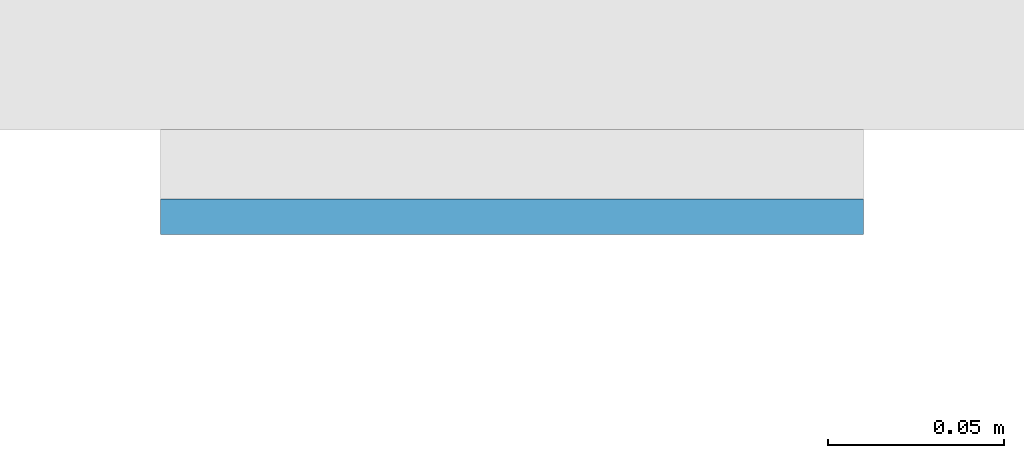
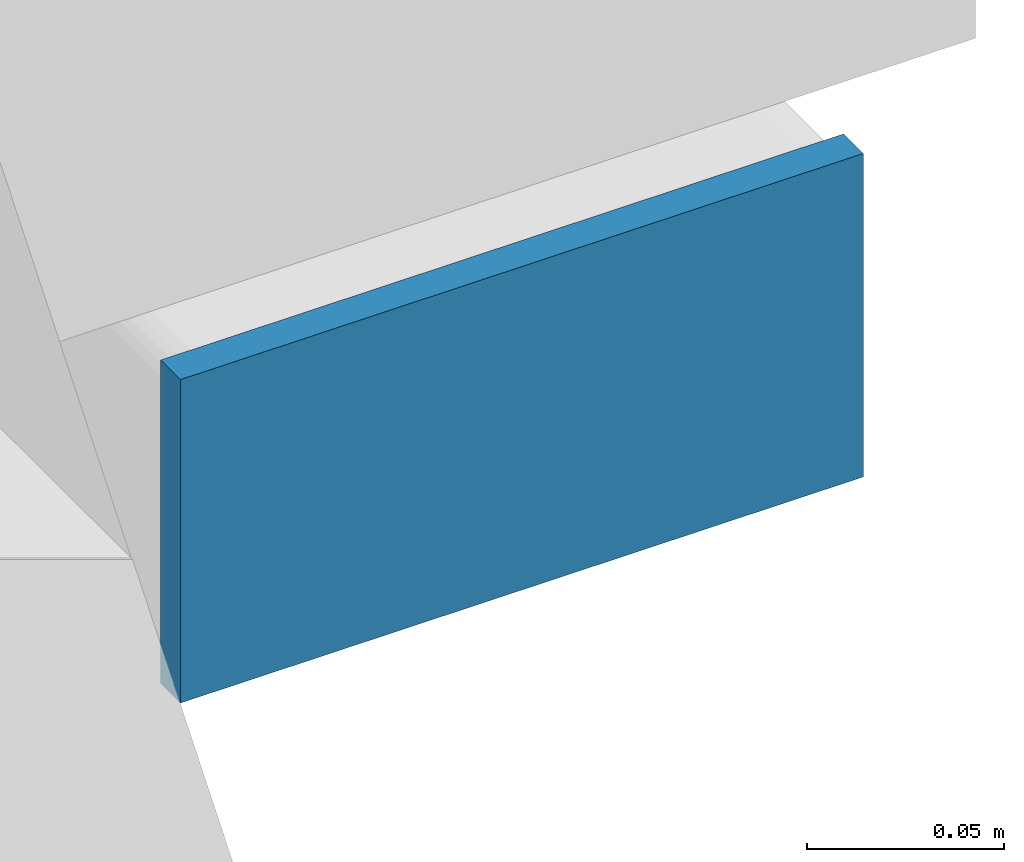
# One storey, part 10 of 20: 1 plate.
"""IFC4 building model written with IfcOpenShell, lengths in metres."""

from ifc_helpers import new_model, si_unit, direction, frame, origin, origin_2d, place, context, subcontext, project, spatial, rectangle, extrude, material, layer, layer_set, type_object, element, save


model = new_model("IFC4")

# Units and contexts
model_context = context("Model", 3, precision=1e-05, world=origin(), true_north=direction((0.0, 1.0)))
body_context = subcontext(model_context, "Body", "Model", "MODEL_VIEW")
ifc_project = project(units=[si_unit("LENGTHUNIT", "METRE"), si_unit("AREAUNIT", "SQUARE_METRE"), si_unit("VOLUMEUNIT", "CUBIC_METRE"), si_unit("PLANEANGLEUNIT", "RADIAN"), si_unit("MASSUNIT", "GRAM", prefix="KILO")], contexts=[model_context])

# Site, building, storey
site_placement = place(None, origin())
site = spatial("IfcSite", under=ifc_project, at=site_placement, CompositionType="ELEMENT")
building_placement = place(site_placement, origin())
building = spatial("IfcBuilding", under=site, at=building_placement, Name="Cleftline Residences", CompositionType="ELEMENT")
storey_placement = place(building_placement, frame((0.0, 0.0, 182.199951171875)))
storey = spatial("IfcBuildingStorey", under=building, at=storey_placement, Name="L47", CompositionType="ELEMENT", Elevation=182.199951171875)

# Plate
ifc_material = material(Name="Steel S355, hot-dip galvanised", Category="steel")
ifc_layer = layer(ifc_material, 0.010009765625)
ifc_layer_set = layer_set([ifc_layer], Name="BAGUETTE CARRIER END PLATE 200X100X10")
plate_type = type_object("IfcPlateType", Name="BAGUETTE CARRIER END PLATE 200X100X10", PredefinedType="USERDEFINED", material=ifc_layer_set)
plate_placement = place(storey_placement, frame((66.85009765625, 3.695068359375, -0.10009765625), z_axis=(0.0, 0.0, 1.0), x_axis=(1.0, 0.0, 0.0)))
element("IfcPlate", 1, at=plate_placement, inside=storey, type_object=plate_type, Name="Baguette carrier end plate", ObjectType="BAGUETTE CARRIER END PLATE", PredefinedType="USERDEFINED", context=body_context, shape_type="SweptSolid", body=[
    extrude(rectangle(XDim=0.199951171875, YDim=0.010009765625, at=origin_2d()), origin(), (0.0, 0.0, 1.0), 0.10009765625),
])

save(model, "model.ifc")
